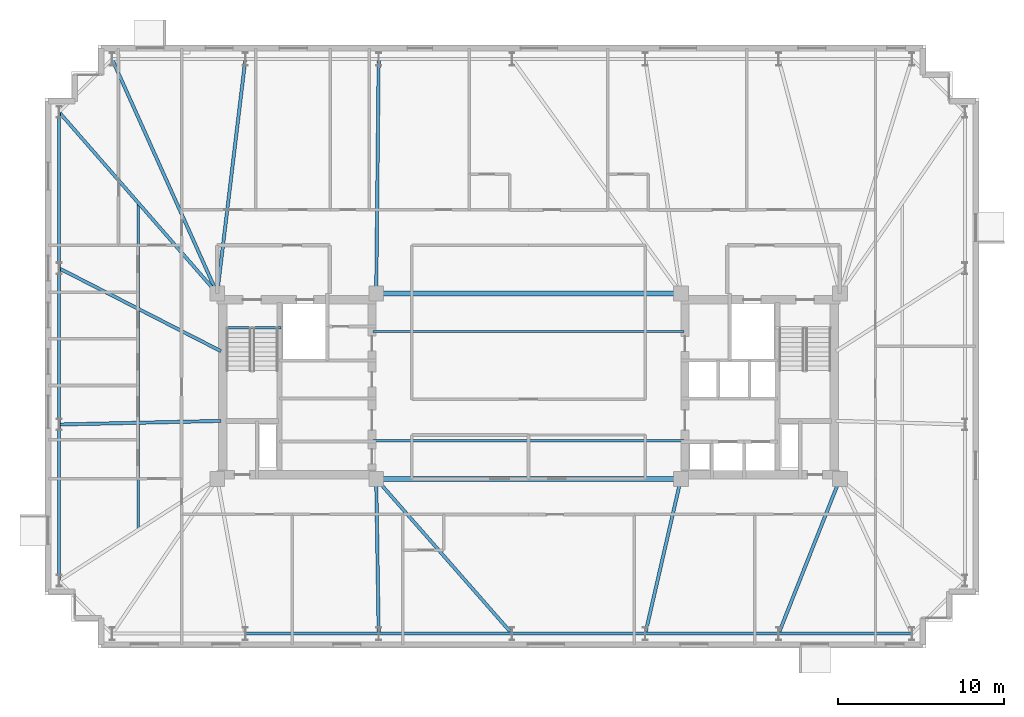
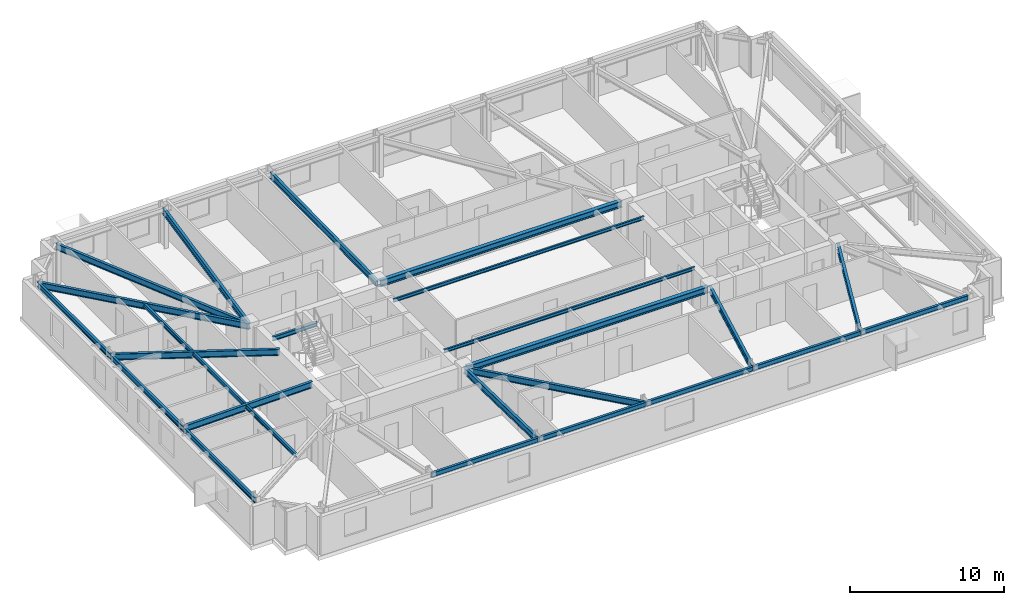
# One storey, part 4 of 17: 24 beams.
"""IFC4 building model written with IfcOpenShell, lengths in metres."""

from ifc_helpers import new_model, si_unit, direction, frame, origin, origin_2d, place, context, subcontext, project, spatial, i_section, extrude, material, material_profile, profile_set, type_object, element, save


model = new_model("IFC4")

# Units and contexts
model_context = context("Model", 3, precision=1e-05, world=origin(), true_north=direction((0.0, 1.0)))
body_context = subcontext(model_context, "Body", "Model", "MODEL_VIEW")
ifc_project = project(units=[si_unit("LENGTHUNIT", "METRE"), si_unit("AREAUNIT", "SQUARE_METRE"), si_unit("VOLUMEUNIT", "CUBIC_METRE"), si_unit("PLANEANGLEUNIT", "RADIAN"), si_unit("MASSUNIT", "GRAM", prefix="KILO")], contexts=[model_context])

# Site, building, storey
site_placement = place(None, origin())
site = spatial("IfcSite", under=ifc_project, at=site_placement, CompositionType="ELEMENT")
building_placement = place(site_placement, origin())
building = spatial("IfcBuilding", under=site, at=building_placement, Name="Qobustan Lattice House", CompositionType="ELEMENT")
storey_placement = place(building_placement, frame((0.0, 0.0, 164.5)))
storey = spatial("IfcBuildingStorey", under=building, at=storey_placement, Name="L46", CompositionType="ELEMENT", Elevation=164.5)

# Beams
ifc_material_1 = material(Name="Steel S355", Category="steel")
ifc_material_profile_1 = material_profile(ifc_material_1, i_section(OverallWidth=0.300048828125, OverallDepth=0.5, WebThickness=0.014404296875, FlangeThickness=0.028076171875, FilletRadius=0.027099609375, at=origin_2d()), Name="HEB500")
ifc_profile_set_1 = profile_set([ifc_material_profile_1], Name="Steel S355")
beam_type_1 = type_object("IfcBeamType", Name="BM-CG-HEB500", PredefinedType="USERDEFINED", material=ifc_profile_set_1)
for number, where, z_axis, x_axis, name in (
    (1, (-9.050048828125, -5.60009765625, 2.7900390625), (1.0, 0.0, 0.0), (0.0, 1.0, 0.0), "L46 core spine girder CG-CS"),
    (2, (-9.050048828125, 5.60009765625, 2.7900390625), (1.0, 0.0, 0.0), (0.0, 1.0, 0.0), "L46 core spine girder CG-CN"),
):
    element("IfcBeam", number, at=place(storey_placement, frame(where, z_axis=z_axis, x_axis=x_axis)), inside=storey, type_object=beam_type_1, Name=name, ObjectType="GIRDER", PredefinedType="USERDEFINED", context=body_context, shape_type="SweptSolid", body=[
        extrude(i_section(OverallWidth=0.300048828125, OverallDepth=0.5, WebThickness=0.014404296875, FlangeThickness=0.028076171875, FilletRadius=0.027099609375, at=origin_2d()), origin(), (0.0, 0.0, 1.0), 18.10009765625),
    ])
ifc_material_2 = material(Name="Steel S355", Category="steel")
ifc_material_profile_2 = material_profile(ifc_material_2, i_section(OverallWidth=0.199951171875, OverallDepth=0.5, WebThickness=0.01025390625, FlangeThickness=0.01611328125, FilletRadius=0.02099609375, at=origin_2d()), Name="IPE500")
ifc_profile_set_2 = profile_set([ifc_material_profile_2], Name="Steel S355")
beam_type_2 = type_object("IfcBeamType", Name="BM-FLG-IPE500", PredefinedType="USERDEFINED", material=ifc_profile_set_2)
beam_1_placement = place(storey_placement, frame((-9.05029296875, -14.925048828125, 2.7900390625), z_axis=(-0.016063870849, 0.999870967702, 0.0), x_axis=(-0.999870967702, -0.016063870849, 0.0)))
element("IfcBeam", 3, at=beam_1_placement, inside=storey, type_object=beam_type_2, Name="L46 primary floor girder RAD-S3", ObjectType="GIRDER", PredefinedType="USERDEFINED", context=body_context, shape_type="SweptSolid", body=[
    extrude(i_section(OverallWidth=0.199951171875, OverallDepth=0.5, WebThickness=0.01025390625, FlangeThickness=0.01611328125, FilletRadius=0.02099609375, at=origin_2d()), origin(), (0.0, 0.0, 1.0), 9.30126953125),
])
beam_2_placement = place(storey_placement, frame((-1.0166015625, -14.93115234375, 2.7900390625), z_axis=(-0.659362380156, 0.751825279992, 0.0), x_axis=(-0.751825279992, -0.659362380156, 0.0)))
element("IfcBeam", 4, at=beam_2_placement, inside=storey, type_object=beam_type_2, Name="L46 primary floor girder RAD-S4", ObjectType="GIRDER", PredefinedType="USERDEFINED", context=body_context, shape_type="SweptSolid", body=[
    extrude(i_section(OverallWidth=0.199951171875, OverallDepth=0.5, WebThickness=0.01025390625, FlangeThickness=0.01611328125, FilletRadius=0.02099609375, at=origin_2d()), origin(), (0.0, 0.0, 1.0), 12.38623046875),
])
beam_3_placement = place(storey_placement, frame((7.0556640625, -14.925537109375, 2.7900390625), z_axis=(0.224091568854, 0.974568093449, 0.0), x_axis=(-0.974568093449, 0.224091568854, 0.0)))
element("IfcBeam", 5, at=beam_3_placement, inside=storey, type_object=beam_type_2, Name="L46 primary floor girder RAD-S5", ObjectType="GIRDER", PredefinedType="USERDEFINED", context=body_context, shape_type="SweptSolid", body=[
    extrude(i_section(OverallWidth=0.199951171875, OverallDepth=0.5, WebThickness=0.01025390625, FlangeThickness=0.01611328125, FilletRadius=0.02099609375, at=origin_2d()), origin(), (0.0, 0.0, 1.0), 9.543701171875),
])
beam_4_placement = place(storey_placement, frame((15.109130859375, -14.9267578125, 2.7900390625), z_axis=(0.367963628184, 0.929840184297, 0.0), x_axis=(-0.929840184297, 0.367963628184, 0.0)))
element("IfcBeam", 6, at=beam_4_placement, inside=storey, type_object=beam_type_2, Name="L46 primary floor girder RAD-S6", ObjectType="GIRDER", PredefinedType="USERDEFINED", context=body_context, shape_type="SweptSolid", body=[
    extrude(i_section(OverallWidth=0.199951171875, OverallDepth=0.5, WebThickness=0.01025390625, FlangeThickness=0.01611328125, FilletRadius=0.02099609375, at=origin_2d()), origin(), (0.0, 0.0, 1.0), 10.00537109375),
])
beam_5_placement = place(storey_placement, frame((-25.139892578125, 19.727294921875, 2.7900390625), z_axis=(0.409426782108, -0.912342978321, 0.0), x_axis=(0.912342978321, 0.409426782108, 0.0)))
element("IfcBeam", 7, at=beam_5_placement, inside=storey, type_object=beam_type_2, Name="L46 primary floor girder RAD-N7W", ObjectType="GIRDER", PredefinedType="USERDEFINED", context=body_context, shape_type="SweptSolid", body=[
    extrude(i_section(OverallWidth=0.199951171875, OverallDepth=0.5, WebThickness=0.01025390625, FlangeThickness=0.01611328125, FilletRadius=0.02099609375, at=origin_2d()), origin(), (0.0, 0.0, 1.0), 15.459716796875),
])
beam_6_placement = place(storey_placement, frame((-17.10302734375, 19.72509765625, 2.7900390625), z_axis=(-0.119287572963, -0.992859745854, 0.0), x_axis=(0.992859745854, -0.119287572963, 0.0)))
element("IfcBeam", 8, at=beam_6_placement, inside=storey, type_object=beam_type_2, Name="L46 primary floor girder RAD-N6", ObjectType="GIRDER", PredefinedType="USERDEFINED", context=body_context, shape_type="SweptSolid", body=[
    extrude(i_section(OverallWidth=0.199951171875, OverallDepth=0.5, WebThickness=0.01025390625, FlangeThickness=0.01611328125, FilletRadius=0.02099609375, at=origin_2d()), origin(), (0.0, 0.0, 1.0), 14.20166015625),
])
beam_7_placement = place(storey_placement, frame((-9.05029296875, 19.72509765625, 2.7900390625), z_axis=(-0.010596073732, -0.999943860035, 0.0), x_axis=(0.999943860035, -0.010596073732, 0.0)))
element("IfcBeam", 9, at=beam_7_placement, inside=storey, type_object=beam_type_2, Name="L46 primary floor girder RAD-N5", ObjectType="GIRDER", PredefinedType="USERDEFINED", context=body_context, shape_type="SweptSolid", body=[
    extrude(i_section(OverallWidth=0.199951171875, OverallDepth=0.5, WebThickness=0.01025390625, FlangeThickness=0.01611328125, FilletRadius=0.02099609375, at=origin_2d()), origin(), (0.0, 0.0, 1.0), 14.100830078125),
])
beam_8_placement = place(storey_placement, frame((-28.33349609375, 16.53125, 2.7900390625), z_axis=(0.657282573618, -0.75364422536, 0.0), x_axis=(0.75364422536, 0.657282573618, 0.0)))
element("IfcBeam", 10, at=beam_8_placement, inside=storey, type_object=beam_type_2, Name="L46 primary floor girder RAD-W1", ObjectType="GIRDER", PredefinedType="USERDEFINED", context=body_context, shape_type="SweptSolid", body=[
    extrude(i_section(OverallWidth=0.199951171875, OverallDepth=0.5, WebThickness=0.01025390625, FlangeThickness=0.01611328125, FilletRadius=0.02099609375, at=origin_2d()), origin(), (0.0, 0.0, 1.0), 14.4794921875),
])
beam_9_placement = place(storey_placement, frame((-28.32763671875, 7.105224609375, 2.7900390625), z_axis=(0.89014541584, -0.455676572426, 0.0), x_axis=(0.455676572426, 0.89014541584, 0.0)))
element("IfcBeam", 11, at=beam_9_placement, inside=storey, type_object=beam_type_2, Name="L46 primary floor girder RAD-W2", ObjectType="GIRDER", PredefinedType="USERDEFINED", context=body_context, shape_type="SweptSolid", body=[
    extrude(i_section(OverallWidth=0.199951171875, OverallDepth=0.5, WebThickness=0.01025390625, FlangeThickness=0.01611328125, FilletRadius=0.02099609375, at=origin_2d()), origin(), (0.0, 0.0, 1.0), 10.959228515625),
])
beam_10_placement = place(storey_placement, frame((-28.324951171875, -2.316162109375, 2.7900390625), z_axis=(0.999755655209, 0.022104974047, 0.0), x_axis=(-0.022104974047, 0.999755655209, 0.0)))
element("IfcBeam", 12, at=beam_10_placement, inside=storey, type_object=beam_type_2, Name="L46 primary floor girder RAD-W3", ObjectType="GIRDER", PredefinedType="USERDEFINED", context=body_context, shape_type="SweptSolid", body=[
    extrude(i_section(OverallWidth=0.199951171875, OverallDepth=0.5, WebThickness=0.01025390625, FlangeThickness=0.01611328125, FilletRadius=0.02099609375, at=origin_2d()), origin(), (0.0, 0.0, 1.0), 9.75244140625),
])
ifc_material_3 = material(Name="Steel S355", Category="steel")
ifc_material_profile_3 = material_profile(ifc_material_3, i_section(OverallWidth=0.135009765625, OverallDepth=0.27001953125, WebThickness=0.006591796875, FlangeThickness=0.01025390625, FilletRadius=0.014892578125, at=origin_2d()), Name="IPE270")
ifc_profile_set_3 = profile_set([ifc_material_profile_3], Name="Steel S355")
beam_type_3 = type_object("IfcBeamType", Name="BM-JST-IPE270", PredefinedType="JOIST", material=ifc_profile_set_3)
for number, where, z_axis, x_axis, name in (
    (13, (-9.39990234375, -3.300048828125, 2.905029296875), (1.0, 0.0, 0.0), (0.0, 1.0, 0.0), "L46 central span floor joist 1"),
    (14, (-9.39990234375, 3.300048828125, 2.905029296875), (1.0, 0.0, 0.0), (0.0, 1.0, 0.0), "L46 central span floor joist 2"),
):
    element("IfcBeam", number, at=place(storey_placement, frame(where, z_axis=z_axis, x_axis=x_axis)), inside=storey, type_object=beam_type_3, Name=name, PredefinedType="JOIST", context=body_context, shape_type="SweptSolid", body=[
        extrude(i_section(OverallWidth=0.135009765625, OverallDepth=0.27001953125, WebThickness=0.006591796875, FlangeThickness=0.01025390625, FilletRadius=0.014892578125, at=origin_2d()), origin(), (0.0, 0.0, 1.0), 18.7998046875),
    ])
ifc_material_4 = material(Name="Steel S355", Category="steel")
ifc_material_profile_4 = material_profile(ifc_material_4, i_section(OverallWidth=0.159912109375, OverallDepth=0.330078125, WebThickness=0.007568359375, FlangeThickness=0.011474609375, FilletRadius=0.01806640625, at=origin_2d()), Name="IPE330")
ifc_profile_set_4 = profile_set([ifc_material_profile_4], Name="Steel S355")
beam_type_4 = type_object("IfcBeamType", Name="BM-SEC-IPE330", PredefinedType="BEAM", material=ifc_profile_set_4)
beam_11_placement = place(storey_placement, frame((-23.574951171875, 11.074951171875, 2.875), z_axis=(0.0, -1.0, 0.0), x_axis=(1.0, 0.0, 0.0)))
element("IfcBeam", 15, at=beam_11_placement, inside=storey, type_object=beam_type_4, Name="L46 west wing secondary beam", PredefinedType="BEAM", context=body_context, shape_type="SweptSolid", body=[
    extrude(i_section(OverallWidth=0.159912109375, OverallDepth=0.330078125, WebThickness=0.007568359375, FlangeThickness=0.011474609375, FilletRadius=0.01806640625, at=origin_2d()), origin(), (0.0, 0.0, 1.0), 19.75),
])
ifc_material_5 = material(Name="Steel S355", Category="steel")
ifc_material_profile_5 = material_profile(ifc_material_5, i_section(OverallWidth=0.159912109375, OverallDepth=0.330078125, WebThickness=0.007568359375, FlangeThickness=0.011474609375, FilletRadius=0.01806640625, at=origin_2d()), Name="IPE330")
ifc_profile_set_5 = profile_set([ifc_material_profile_5], Name="Steel S355")
beam_type_5 = type_object("IfcBeamType", Name="BM-SPD-IPE330", PredefinedType="SPANDREL", material=ifc_profile_set_5)
beam_12_placement = place(storey_placement, frame((-18.300048828125, 3.52001953125, 2.875), z_axis=(1.0, 0.0, 0.0), x_axis=(0.0, 1.0, 0.0)))
element("IfcBeam", 16, at=beam_12_placement, inside=storey, type_object=beam_type_5, Name="L46 west stair landing trimmer beam", PredefinedType="SPANDREL", context=body_context, shape_type="SweptSolid", body=[
    extrude(i_section(OverallWidth=0.159912109375, OverallDepth=0.330078125, WebThickness=0.007568359375, FlangeThickness=0.011474609375, FilletRadius=0.01806640625, at=origin_2d()), origin(), (0.0, 0.0, 1.0), 3.35009765625),
])
ifc_material_6 = material(Name="Steel S355", Category="steel")
ifc_material_profile_6 = material_profile(ifc_material_6, i_section(OverallWidth=0.179931640625, OverallDepth=0.39990234375, WebThickness=0.008544921875, FlangeThickness=0.013427734375, FilletRadius=0.02099609375, at=origin_2d()), Name="IPE400")
ifc_profile_set_6 = profile_set([ifc_material_profile_6], Name="Steel S355")
beam_type_6 = type_object("IfcBeamType", Name="BM-SPD-IPE400", PredefinedType="SPANDREL", material=ifc_profile_set_6)
for number, where, z_axis, x_axis, name in (
    (17, (-17.074951171875, -14.949951171875, 2.840087890625), (1.0, 0.0, 0.0), (0.0, 1.0, 0.0), "L46 perimeter spandrel S2-S3"),
    (18, (-9.02490234375, -14.949951171875, 2.840087890625), (1.0, 0.0, 0.0), (0.0, 1.0, 0.0), "L46 perimeter spandrel S3-S4"),
    (19, (-0.97509765625, -14.949951171875, 2.840087890625), (1.0, 0.0, 0.0), (0.0, 1.0, 0.0), "L46 perimeter spandrel S4-S5"),
    (20, (7.074951171875, -14.949951171875, 2.840087890625), (1.0, 0.0, 0.0), (0.0, 1.0, 0.0), "L46 perimeter spandrel S5-S6"),
    (21, (15.125, -14.949951171875, 2.840087890625), (1.0, 0.0, 0.0), (0.0, 1.0, 0.0), "L46 perimeter spandrel S6-S7"),
):
    element("IfcBeam", number, at=place(storey_placement, frame(where, z_axis=z_axis, x_axis=x_axis)), inside=storey, type_object=beam_type_6, Name=name, PredefinedType="SPANDREL", context=body_context, shape_type="SweptSolid", body=[
        extrude(i_section(OverallWidth=0.179931640625, OverallDepth=0.39990234375, WebThickness=0.008544921875, FlangeThickness=0.013427734375, FilletRadius=0.02099609375, at=origin_2d()), origin(), (0.0, 0.0, 1.0), 8.0),
    ])
beam_13_placement = place(storey_placement, frame((-28.35009765625, 16.52490234375, 2.840087890625), z_axis=(0.0, -1.0, 0.0), x_axis=(1.0, 0.0, 0.0)))
element("IfcBeam", 22, at=beam_13_placement, inside=storey, type_object=beam_type_6, Name="L46 perimeter spandrel W1-W2", PredefinedType="SPANDREL", context=body_context, shape_type="SweptSolid", body=[
    extrude(i_section(OverallWidth=0.179931640625, OverallDepth=0.39990234375, WebThickness=0.008544921875, FlangeThickness=0.013427734375, FilletRadius=0.02099609375, at=origin_2d()), origin(), (0.0, 0.0, 1.0), 9.38330078125),
])
beam_14_placement = place(storey_placement, frame((-28.35009765625, 7.091796875, 2.840087890625), z_axis=(0.0, -1.0, 0.0), x_axis=(1.0, 0.0, 0.0)))
element("IfcBeam", 23, at=beam_14_placement, inside=storey, type_object=beam_type_6, Name="L46 perimeter spandrel W2-W3", PredefinedType="SPANDREL", context=body_context, shape_type="SweptSolid", body=[
    extrude(i_section(OverallWidth=0.179931640625, OverallDepth=0.39990234375, WebThickness=0.008544921875, FlangeThickness=0.013427734375, FilletRadius=0.02099609375, at=origin_2d()), origin(), (0.0, 0.0, 1.0), 9.383544921875),
])
beam_15_placement = place(storey_placement, frame((-28.35009765625, -2.341796875, 2.840087890625), z_axis=(0.0, -1.0, 0.0), x_axis=(1.0, 0.0, 0.0)))
element("IfcBeam", 24, at=beam_15_placement, inside=storey, type_object=beam_type_6, Name="L46 perimeter spandrel W3-W4", PredefinedType="SPANDREL", context=body_context, shape_type="SweptSolid", body=[
    extrude(i_section(OverallWidth=0.179931640625, OverallDepth=0.39990234375, WebThickness=0.008544921875, FlangeThickness=0.013427734375, FilletRadius=0.02099609375, at=origin_2d()), origin(), (0.0, 0.0, 1.0), 9.38330078125),
])

save(model, "model.ifc")
